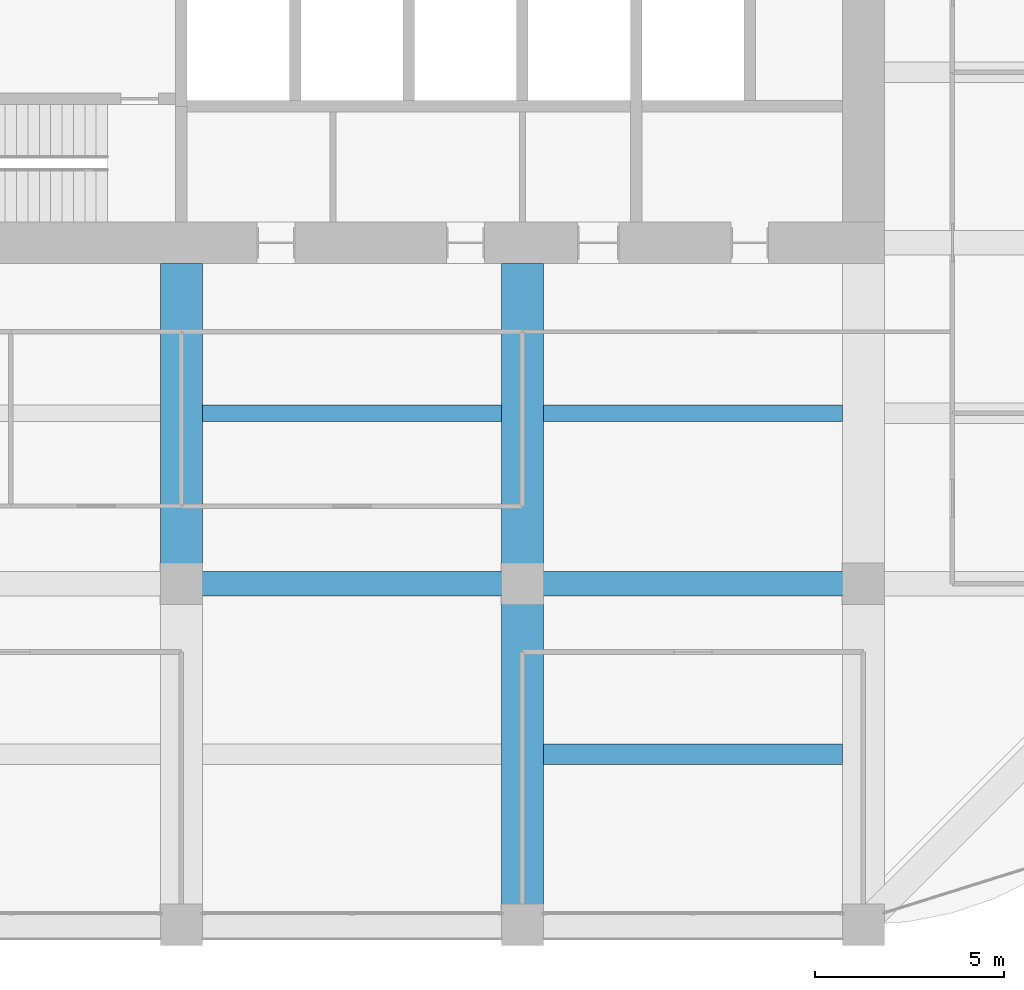
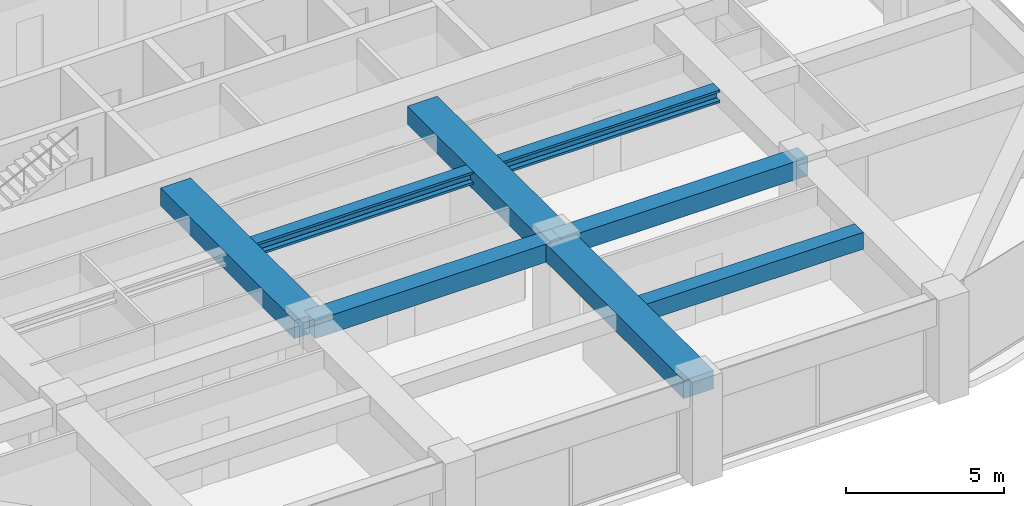
# One storey, part 12 of 44: 8 beams.
"""IFC4 building model written with IfcOpenShell, lengths in metres."""

from ifc_helpers import new_model, si_unit, direction, frame, origin, origin_2d, place, context, subcontext, project, spatial, rectangle, i_section, extrude, material, material_profile, profile_set, type_object, element, save


model = new_model("IFC4")

# Units and contexts
model_context = context("Model", 3, precision=1e-05, world=origin(), true_north=direction((0.0, 1.0)))
body_context = subcontext(model_context, "Body", "Model", "MODEL_VIEW")
ifc_project = project(units=[si_unit("LENGTHUNIT", "METRE"), si_unit("AREAUNIT", "SQUARE_METRE"), si_unit("VOLUMEUNIT", "CUBIC_METRE"), si_unit("PLANEANGLEUNIT", "RADIAN"), si_unit("MASSUNIT", "GRAM", prefix="KILO")], contexts=[model_context])

# Site, building, storey
site_placement = place(None, origin())
site = spatial("IfcSite", under=ifc_project, at=site_placement, CompositionType="ELEMENT")
building_placement = place(site_placement, origin())
building = spatial("IfcBuilding", under=site, at=building_placement, Name="Zorevar Civic Tower", CompositionType="ELEMENT")
storey_placement = place(building_placement, frame((0.0, 0.0, 287.39990234375)))
storey = spatial("IfcBuildingStorey", under=building, at=storey_placement, Name="L70", CompositionType="ELEMENT", Elevation=287.39990234375)

# Beams
ifc_material_1 = material(Name="Concrete C50/60", Category="concrete")
ifc_material_profile_1 = material_profile(ifc_material_1, rectangle(XDim=1.10009765625, YDim=0.699951171875, at=origin_2d()), Name="RC 1100x700")
ifc_profile_set_1 = profile_set([ifc_material_profile_1], Name="Concrete C50/60")
beam_type_1 = type_object("IfcBeamType", Name="Beam RC 1100x700", PredefinedType="BEAM", material=ifc_profile_set_1)
beam_1_placement = place(storey_placement, frame((27.0, 9.0, 3.400146484375), z_axis=(0.0, 1.0, 0.0), x_axis=(-1.0, 0.0, 0.0)))
element("IfcBeam", 1, at=beam_1_placement, inside=storey, type_object=beam_type_1, Name="Girder L71", PredefinedType="BEAM", context=body_context, shape_type="SweptSolid", body=[
    extrude(rectangle(XDim=1.10009765625, YDim=0.699951171875, at=origin_2d()), origin(), (0.0, 0.0, 1.0), 8.449951171875),
])
beam_2_placement = place(storey_placement, frame((36.0, 0.0, 3.400146484375), z_axis=(0.0, 1.0, 0.0), x_axis=(-1.0, 0.0, 0.0)))
element("IfcBeam", 2, at=beam_2_placement, inside=storey, type_object=beam_type_1, Name="Girder L71", PredefinedType="BEAM", context=body_context, shape_type="SweptSolid", body=[
    extrude(rectangle(XDim=1.10009765625, YDim=0.699951171875, at=origin_2d()), origin(), (0.0, 0.0, 1.0), 9.0),
])
beam_3_placement = place(storey_placement, frame((36.0, 9.0, 3.400146484375), z_axis=(0.0, 1.0, 0.0), x_axis=(-1.0, 0.0, 0.0)))
element("IfcBeam", 3, at=beam_3_placement, inside=storey, type_object=beam_type_1, Name="Girder L71", PredefinedType="BEAM", context=body_context, shape_type="SweptSolid", body=[
    extrude(rectangle(XDim=1.10009765625, YDim=0.699951171875, at=origin_2d()), origin(), (0.0, 0.0, 1.0), 8.449951171875),
])
ifc_material_2 = material(Name="Concrete C50/60", Category="concrete")
ifc_material_profile_2 = material_profile(ifc_material_2, rectangle(XDim=0.550048828125, YDim=0.64990234375, at=origin_2d()), Name="RC 550x650")
ifc_profile_set_2 = profile_set([ifc_material_profile_2], Name="Concrete C50/60")
beam_type_2 = type_object("IfcBeamType", Name="Beam RC 550x650", PredefinedType="BEAM", material=ifc_profile_set_2)
beam_4_placement = place(storey_placement, frame((36.550048828125, 4.5, 3.425048828125), z_axis=(1.0, 0.0, 0.0), x_axis=(0.0, 1.0, 0.0)))
element("IfcBeam", 4, at=beam_4_placement, inside=storey, type_object=beam_type_2, Name="Secondary beam L71", PredefinedType="BEAM", context=body_context, shape_type="SweptSolid", body=[
    extrude(rectangle(XDim=0.550048828125, YDim=0.64990234375, at=origin_2d()), origin(), (0.0, 0.0, 1.0), 7.89990234375),
])
ifc_material_3 = material(Name="Concrete C50/60", Category="concrete")
ifc_material_profile_3 = material_profile(ifc_material_3, rectangle(XDim=0.64990234375, YDim=0.699951171875, at=origin_2d()), Name="RC 650x700")
ifc_profile_set_3 = profile_set([ifc_material_profile_3], Name="Concrete C50/60")
beam_type_3 = type_object("IfcBeamType", Name="Beam RC 650x700", PredefinedType="BEAM", material=ifc_profile_set_3)
for number, where, z_axis, x_axis, name in (
    (5, (27.0, 9.0, 3.400146484375), (1.0, 0.0, 0.0), (0.0, 1.0, 0.0), "Girder L71"),
    (6, (36.0, 9.0, 3.400146484375), (1.0, 0.0, 0.0), (0.0, 1.0, 0.0), "Girder L71"),
):
    element("IfcBeam", number, at=place(storey_placement, frame(where, z_axis=z_axis, x_axis=x_axis)), inside=storey, type_object=beam_type_3, Name=name, PredefinedType="BEAM", context=body_context, shape_type="SweptSolid", body=[
        extrude(rectangle(XDim=0.64990234375, YDim=0.699951171875, at=origin_2d()), origin(), (0.0, 0.0, 1.0), 9.0),
    ])
ifc_material_4 = material(Name="Steel S460M (HISTAR 460)", Category="steel")
ifc_material_profile_4 = material_profile(ifc_material_4, i_section(OverallWidth=0.431884765625, OverallDepth=0.498046875, WebThickness=0.0556640625, FlangeThickness=0.0888671875, FilletRadius=0.014892578125, at=origin_2d()), Name="HD 400x744")
ifc_profile_set_4 = profile_set([ifc_material_profile_4], Name="Steel S460M (HISTAR 460)")
beam_type_4 = type_object("IfcBeamType", Name="Core bay beam HD 400x744", PredefinedType="BEAM", material=ifc_profile_set_4)
for number, where, z_axis, x_axis, name in (
    (7, (27.550048828125, 13.5, 3.5009765625), (1.0, 0.0, 0.0), (0.0, 1.0, 0.0), "Secondary beam L71"),
    (8, (36.550048828125, 13.5, 3.5009765625), (1.0, 0.0, 0.0), (0.0, 1.0, 0.0), "Secondary beam L71"),
):
    element("IfcBeam", number, at=place(storey_placement, frame(where, z_axis=z_axis, x_axis=x_axis)), inside=storey, type_object=beam_type_4, Name=name, PredefinedType="BEAM", context=body_context, shape_type="SweptSolid", body=[
        extrude(i_section(OverallWidth=0.431884765625, OverallDepth=0.498046875, WebThickness=0.0556640625, FlangeThickness=0.0888671875, FilletRadius=0.014892578125, at=origin_2d()), origin(), (0.0, 0.0, 1.0), 7.89990234375),
    ])

save(model, "model.ifc")
